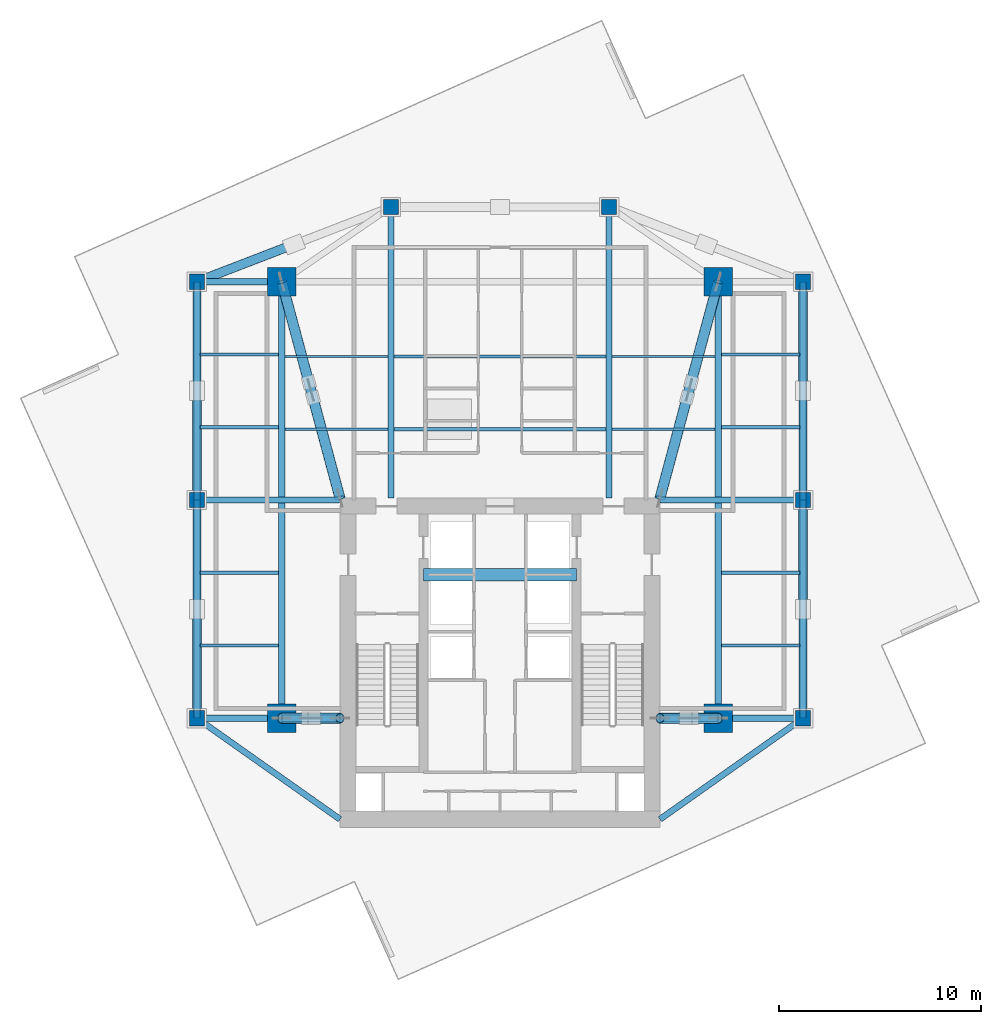
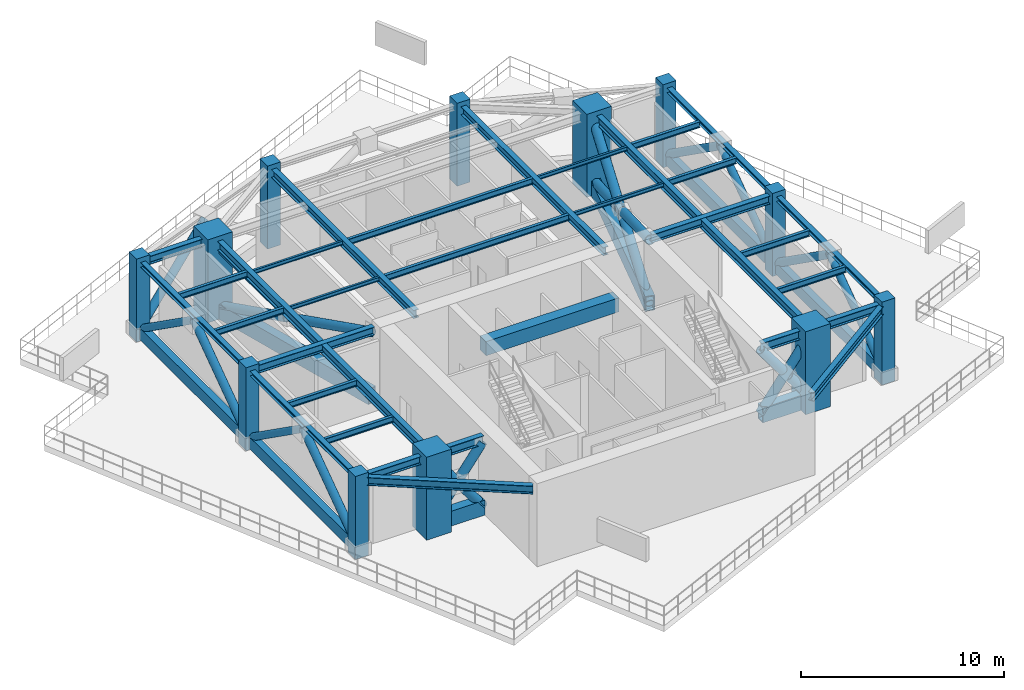
# One storey, part 1 of 8: 36 beams, 25 members, 12 columns.
"""IFC4 building model written with IfcOpenShell, lengths in metres."""

from ifc_helpers import new_model, si_unit, direction, frame, origin, origin_2d, place, context, subcontext, project, spatial, rectangle, hollow_rectangle, hollow_circle, i_section, extrude, source, transform, mapped, material, material_profile, profile_set, type_object, type_shapes, element, save


model = new_model("IFC4")

# Units and contexts
model_context = context("Model", 3, precision=1e-05, world=origin(), true_north=direction((0.0, 1.0)))
body_context = subcontext(model_context, "Body", "Model", "MODEL_VIEW")
ifc_project = project(units=[si_unit("LENGTHUNIT", "METRE"), si_unit("AREAUNIT", "SQUARE_METRE"), si_unit("VOLUMEUNIT", "CUBIC_METRE"), si_unit("PLANEANGLEUNIT", "RADIAN"), si_unit("MASSUNIT", "GRAM", prefix="KILO")], contexts=[model_context])

# Site, building, storey
site_placement = place(None, origin())
site = spatial("IfcSite", under=ifc_project, at=site_placement, CompositionType="ELEMENT")
building_placement = place(site_placement, origin())
building = spatial("IfcBuilding", under=site, at=building_placement, Name="Krantzveldt Concourse Tower", CompositionType="ELEMENT")
storey_placement = place(building_placement, frame((0.0, 0.0, 318.75)))
storey = spatial("IfcBuildingStorey", under=building, at=storey_placement, Name="L78", CompositionType="ELEMENT", Elevation=318.75)

# Columns
ifc_material_1 = material(Name="Concrete C50/60", Category="concrete")
ifc_material_profile_1 = material_profile(ifc_material_1, rectangle(XDim=1.39990234375, YDim=1.39990234375, at=origin_2d()), Name="Concrete C50/60", Category="concrete")
ifc_profile_set_1 = profile_set([ifc_material_profile_1], Name="Concrete C50/60 - RC 1400x1400")
column_type_1 = type_object("IfcColumnType", Name="COL-MC-1400", PredefinedType="USERDEFINED", material=ifc_profile_set_1)
shared_shape_1 = source(origin(), body_context, "Body", "SweptSolid", [
    extrude(rectangle(XDim=1.39990234375, YDim=1.39990234375, at=origin_2d()), origin(), (0.0, 0.0, 1.0), 5.0),
])
type_shapes(column_type_1, [shared_shape_1])
for number, where, z_axis, x_axis, name in (
    (1, (25.199951171875, 15.89990234375, 0.0), (0.0, 0.0, 1.0), (1.0, 0.0, 0.0), "MC-SW-L78"),
    (2, (46.800048828125, 15.89990234375, 0.0), (0.0, 0.0, 1.0), (1.0, 0.0, 0.0), "MC-SE-L78"),
    (3, (46.800048828125, 37.5, 0.0), (0.0, 0.0, 1.0), (1.0, 0.0, 0.0), "MC-NE-L78"),
    (4, (25.199951171875, 37.5, 0.0), (0.0, 0.0, 1.0), (1.0, 0.0, 0.0), "MC-NW-L78"),
):
    element("IfcColumn", number, at=place(storey_placement, frame(where, z_axis=z_axis, x_axis=x_axis)), inside=storey, type_object=column_type_1, Name=name, ObjectType="MEGA COLUMN", PredefinedType="USERDEFINED", context=body_context, shape_type="MappedRepresentation", body=[
        mapped(shared_shape_1, transform((0.0, 0.0, 0.0), x_axis=(1.0, 0.0, 0.0), y_axis=(0.0, 1.0, 0.0), z_axis=(0.0, 0.0, 1.0), scale=1.0)),
    ])
ifc_material_profile_2 = material_profile(ifc_material_1, rectangle(XDim=0.75, YDim=0.75, at=origin_2d()), Name="Concrete C50/60", Category="concrete")
ifc_profile_set_2 = profile_set([ifc_material_profile_2], Name="Concrete C50/60 - RC 750x750")
column_type_2 = type_object("IfcColumnType", Name="COL-C-Z5", PredefinedType="COLUMN", material=ifc_profile_set_2)
shared_shape_2 = source(origin(), body_context, "Body", "SweptSolid", [
    extrude(rectangle(XDim=0.75, YDim=0.75, at=origin_2d()), origin(), (0.0, 0.0, 1.0), 5.0),
])
type_shapes(column_type_2, [shared_shape_2])
for number, where, z_axis, x_axis, name in (
    (5, (21.0, 15.89990234375, 0.0), (0.0, 0.0, 1.0), (1.0, 0.0, 0.0), "PC-R01-L78"),
    (6, (21.0, 26.699951171875, 0.0), (0.0, 0.0, 1.0), (1.0, 0.0, 0.0), "PC-R02-L78"),
    (7, (21.0, 37.5, 0.0), (0.0, 0.0, 1.0), (1.0, 0.0, 0.0), "PC-R03-L78"),
    (8, (30.60009765625, 41.199951171875, 0.0), (0.0, 0.0, 1.0), (1.0, 0.0, 0.0), "PC-R04-L78"),
    (9, (41.39990234375, 41.199951171875, 0.0), (0.0, 0.0, 1.0), (1.0, 0.0, 0.0), "PC-R05-L78"),
    (10, (51.0, 37.5, 0.0), (0.0, 0.0, 1.0), (1.0, 0.0, 0.0), "PC-R06-L78"),
    (11, (51.0, 26.699951171875, 0.0), (0.0, 0.0, 1.0), (1.0, 0.0, 0.0), "PC-R07-L78"),
    (12, (51.0, 15.89990234375, 0.0), (0.0, 0.0, 1.0), (1.0, 0.0, 0.0), "PC-R08-L78"),
):
    element("IfcColumn", number, at=place(storey_placement, frame(where, z_axis=z_axis, x_axis=x_axis)), inside=storey, type_object=column_type_2, Name=name, PredefinedType="COLUMN", context=body_context, shape_type="MappedRepresentation", body=[
        mapped(shared_shape_2, transform((0.0, 0.0, 0.0), x_axis=(1.0, 0.0, 0.0), y_axis=(0.0, 1.0, 0.0), z_axis=(0.0, 0.0, 1.0), scale=1.0)),
    ])

# Beams
ifc_material_2 = material(Name="Steel S355J2", Category="steel")
ifc_material_profile_3 = material_profile(ifc_material_2, hollow_rectangle(XDim=0.5, YDim=0.89990234375, WallThickness=0.044921875, at=origin_2d()), Name="Steel S355J2", Category="steel")
ifc_profile_set_3 = profile_set([ifc_material_profile_3], Name="Steel S355J2 - RHS 900x500x45")
beam_type_1 = type_object("IfcBeamType", Name="BM-OT-CHD900", PredefinedType="BEAM", material=ifc_profile_set_3)
shared_shape_3 = source(origin(), body_context, "Body", "SweptSolid", [
    extrude(hollow_rectangle(XDim=0.5, YDim=0.89990234375, WallThickness=0.044921875, at=origin_2d()), origin(), (0.0, 0.0, 1.0), 2.880126953125),
])
for number, where, z_axis, x_axis, name in (
    (13, (28.080078125, 15.89990234375, 0.449951171875), (-1.0, 0.0, 0.0), (0.0, -1.0, 0.0), "OT-SW-L78-BC"),
    (14, (43.919921875, 15.89990234375, 0.449951171875), (1.0, 0.0, 0.0), (0.0, 1.0, 0.0), "OT-SE-L78-BC"),
):
    element("IfcBeam", number, at=place(storey_placement, frame(where, z_axis=z_axis, x_axis=x_axis)), inside=storey, type_object=beam_type_1, Name=name, PredefinedType="BEAM", context=body_context, shape_type="MappedRepresentation", body=[
        mapped(shared_shape_3, transform((0.0, 0.0, 0.0), x_axis=(1.0, 0.0, 0.0), y_axis=(0.0, 1.0, 0.0), z_axis=(0.0, 0.0, 1.0), scale=1.0)),
    ])
shared_shape_4 = source(origin(), body_context, "Body", "SweptSolid", [
    extrude(hollow_rectangle(XDim=0.5, YDim=0.89990234375, WallThickness=0.044921875, at=origin_2d()), origin(), (0.0, 0.0, 1.0), 11.080810546875),
])
type_shapes(beam_type_1, [shared_shape_3, shared_shape_4])
for number, where, z_axis, x_axis, name in (
    (15, (28.080078125, 26.800048828125, 0.449951171875), (-0.25992053364, 0.965630009989, 0.0), (-0.965630009989, -0.25992053364, 0.0), "OT-NW-L78-BC"),
    (16, (43.919921875, 26.800048828125, 0.449951171875), (0.25992053364, 0.965630009989, 0.0), (-0.965630009989, 0.25992053364, 0.0), "OT-NE-L78-BC"),
):
    element("IfcBeam", number, at=place(storey_placement, frame(where, z_axis=z_axis, x_axis=x_axis)), inside=storey, type_object=beam_type_1, Name=name, PredefinedType="BEAM", context=body_context, shape_type="MappedRepresentation", body=[
        mapped(shared_shape_4, transform((0.0, 0.0, 0.0), x_axis=(1.0, 0.0, 0.0), y_axis=(0.0, 1.0, 0.0), z_axis=(0.0, 0.0, 1.0), scale=1.0)),
    ])

# Members
ifc_material_profile_4 = material_profile(ifc_material_2, hollow_rectangle(XDim=0.39990234375, YDim=0.699951171875, WallThickness=0.034912109375, at=origin_2d()), Name="Steel S355J2", Category="steel")
ifc_profile_set_4 = profile_set([ifc_material_profile_4], Name="Steel S355J2 - RHS 700x400x35")
member_type_1 = type_object("IfcMemberType", Name="MB-BC-RHS700", PredefinedType="CHORD", material=ifc_profile_set_4)
shared_shape_5 = source(origin(), body_context, "Body", "SweptSolid", [
    extrude(hollow_rectangle(XDim=0.39990234375, YDim=0.699951171875, WallThickness=0.034912109375, at=origin_2d()), origin(), (0.0, 0.0, 1.0), 10.800048828125),
])
type_shapes(member_type_1, [shared_shape_5])
for number, where, z_axis, x_axis, name in (
    (17, (21.0, 15.89990234375, 0.449951171875), (0.0, 1.0, 0.0), (-1.0, 0.0, 0.0), "BT-L78-BC-01"),
    (18, (21.0, 26.699951171875, 0.449951171875), (0.0, 1.0, 0.0), (-1.0, 0.0, 0.0), "BT-L78-BC-02"),
    (19, (51.0, 37.5, 0.449951171875), (0.0, -1.0, 0.0), (1.0, 0.0, 0.0), "BT-L78-BC-06"),
    (20, (51.0, 26.699951171875, 0.449951171875), (0.0, -1.0, 0.0), (1.0, 0.0, 0.0), "BT-L78-BC-07"),
):
    element("IfcMember", number, at=place(storey_placement, frame(where, z_axis=z_axis, x_axis=x_axis)), inside=storey, type_object=member_type_1, Name=name, PredefinedType="CHORD", context=body_context, shape_type="MappedRepresentation", body=[
        mapped(shared_shape_5, transform((0.0, 0.0, 0.0), x_axis=(1.0, 0.0, 0.0), y_axis=(0.0, 1.0, 0.0), z_axis=(0.0, 0.0, 1.0), scale=1.0)),
    ])

# Beams
ifc_material_3 = material(Name="Steel S355JR", Category="steel")
ifc_material_profile_5 = material_profile(ifc_material_3, i_section(OverallWidth=0.169921875, OverallDepth=0.360107421875, WebThickness=0.008056640625, FlangeThickness=0.0126953125, FilletRadius=0.01806640625, at=origin_2d()), Name="Steel S355JR", Category="steel")
ifc_profile_set_5 = profile_set([ifc_material_profile_5], Name="Steel S355JR - IPE 360")
beam_type_2 = type_object("IfcBeamType", Name="BM-J-IPE360", PredefinedType="JOIST", material=ifc_profile_set_5)
shared_shape_6 = source(origin(), body_context, "Body", "SweptSolid", [
    extrude(i_section(OverallWidth=0.169921875, OverallDepth=0.360107421875, WebThickness=0.008056640625, FlangeThickness=0.0126953125, FilletRadius=0.01806640625, at=origin_2d()), origin(), (0.0, 0.0, 1.0), 10.5),
])
for number, where, z_axis, x_axis, name in (
    (21, (30.75, 30.199951171875, 4.5400390625), (1.0, 0.0, 0.0), (0.0, 1.0, 0.0), "L78 Secondary Floor Joist JN-C1"),
    (22, (30.75, 33.800048828125, 4.5400390625), (1.0, 0.0, 0.0), (0.0, 1.0, 0.0), "L78 Secondary Floor Joist JN-C2"),
):
    element("IfcBeam", number, at=place(storey_placement, frame(where, z_axis=z_axis, x_axis=x_axis)), inside=storey, type_object=beam_type_2, Name=name, PredefinedType="JOIST", context=body_context, shape_type="MappedRepresentation", body=[
        mapped(shared_shape_6, transform((0.0, 0.0, 0.0), x_axis=(1.0, 0.0, 0.0), y_axis=(0.0, 1.0, 0.0), z_axis=(0.0, 0.0, 1.0), scale=1.0)),
    ])
ifc_material_profile_6 = material_profile(ifc_material_3, i_section(OverallWidth=0.300048828125, OverallDepth=0.489990234375, WebThickness=0.011962890625, FlangeThickness=0.02294921875, FilletRadius=0.027099609375, at=origin_2d()), Name="Steel S355JR", Category="steel")
ifc_profile_set_6 = profile_set([ifc_material_profile_6], Name="Steel S355JR - HEA 500")
beam_type_3 = type_object("IfcBeamType", Name="BM-B-HEA500", PredefinedType="BEAM", material=ifc_profile_set_6)
shared_shape_7 = source(origin(), body_context, "Body", "SweptSolid", [
    extrude(i_section(OverallWidth=0.300048828125, OverallDepth=0.489990234375, WebThickness=0.011962890625, FlangeThickness=0.02294921875, FilletRadius=0.027099609375, at=origin_2d()), origin(), (0.0, 0.0, 1.0), 7.080078125),
])
for number, where, z_axis, x_axis, name in (
    (23, (21.0, 26.699951171875, 4.47509765625), (1.0, 0.0, 0.0), (0.0, 1.0, 0.0), "L78 Tower Girder BG-CW2"),
    (24, (43.919921875, 26.699951171875, 4.47509765625), (1.0, 0.0, 0.0), (0.0, 1.0, 0.0), "L78 Tower Girder BG-CE2"),
):
    element("IfcBeam", number, at=place(storey_placement, frame(where, z_axis=z_axis, x_axis=x_axis)), inside=storey, type_object=beam_type_3, Name=name, PredefinedType="BEAM", context=body_context, shape_type="MappedRepresentation", body=[
        mapped(shared_shape_7, transform((0.0, 0.0, 0.0), x_axis=(1.0, 0.0, 0.0), y_axis=(0.0, 1.0, 0.0), z_axis=(0.0, 0.0, 1.0), scale=1.0)),
    ])
shared_shape_8 = source(origin(), body_context, "Body", "SweptSolid", [
    extrude(i_section(OverallWidth=0.300048828125, OverallDepth=0.489990234375, WebThickness=0.011962890625, FlangeThickness=0.02294921875, FilletRadius=0.027099609375, at=origin_2d()), origin(), (0.0, 0.0, 1.0), 14.39990234375),
])
for number, where, z_axis, x_axis, name in (
    (25, (30.60009765625, 26.800048828125, 4.47509765625), (0.0, 1.0, 0.0), (-1.0, 0.0, 0.0), "L78 Tower Girder BG-CNW"),
    (26, (41.39990234375, 26.800048828125, 4.47509765625), (0.0, 1.0, 0.0), (-1.0, 0.0, 0.0), "L78 Tower Girder BG-CNE"),
):
    element("IfcBeam", number, at=place(storey_placement, frame(where, z_axis=z_axis, x_axis=x_axis)), inside=storey, type_object=beam_type_3, Name=name, PredefinedType="BEAM", context=body_context, shape_type="MappedRepresentation", body=[
        mapped(shared_shape_8, transform((0.0, 0.0, 0.0), x_axis=(1.0, 0.0, 0.0), y_axis=(0.0, 1.0, 0.0), z_axis=(0.0, 0.0, 1.0), scale=1.0)),
    ])
shared_shape_9 = source(origin(), body_context, "Body", "SweptSolid", [
    extrude(i_section(OverallWidth=0.300048828125, OverallDepth=0.489990234375, WebThickness=0.011962890625, FlangeThickness=0.02294921875, FilletRadius=0.027099609375, at=origin_2d()), origin(), (0.0, 0.0, 1.0), 4.199951171875),
])
for number, where, z_axis, x_axis, name in (
    (27, (21.0, 15.89990234375, 4.47509765625), (1.0, 0.0, 0.0), (0.0, 1.0, 0.0), "L78 Tower Girder BR-RL1"),
    (28, (21.0, 37.5, 4.47509765625), (1.0, 0.0, 0.0), (0.0, 1.0, 0.0), "L78 Tower Girder BR-RL3"),
    (29, (46.800048828125, 15.89990234375, 4.47509765625), (1.0, 0.0, 0.0), (0.0, 1.0, 0.0), "L78 Tower Girder BR-RR1"),
):
    element("IfcBeam", number, at=place(storey_placement, frame(where, z_axis=z_axis, x_axis=x_axis)), inside=storey, type_object=beam_type_3, Name=name, PredefinedType="BEAM", context=body_context, shape_type="MappedRepresentation", body=[
        mapped(shared_shape_9, transform((0.0, 0.0, 0.0), x_axis=(1.0, 0.0, 0.0), y_axis=(0.0, 1.0, 0.0), z_axis=(0.0, 0.0, 1.0), scale=1.0)),
    ])
shared_shape_10 = source(origin(), body_context, "Body", "SweptSolid", [
    extrude(i_section(OverallWidth=0.300048828125, OverallDepth=0.489990234375, WebThickness=0.011962890625, FlangeThickness=0.02294921875, FilletRadius=0.027099609375, at=origin_2d()), origin(), (0.0, 0.0, 1.0), 8.667724609375),
])
type_shapes(beam_type_3, [shared_shape_7, shared_shape_8, shared_shape_9, shared_shape_10])
for number, where, z_axis, x_axis, name in (
    (30, (21.0, 15.89990234375, 4.47509765625), (0.81684294656, -0.576860122261, 0.0), (0.576860122261, 0.81684294656, 0.0), "L78 Tower Girder BR-CSW"),
    (31, (51.0, 15.89990234375, 4.47509765625), (-0.81684294656, -0.576860122261, 0.0), (0.576860122261, -0.81684294656, 0.0), "L78 Tower Girder BR-CSE"),
):
    element("IfcBeam", number, at=place(storey_placement, frame(where, z_axis=z_axis, x_axis=x_axis)), inside=storey, type_object=beam_type_3, Name=name, PredefinedType="BEAM", context=body_context, shape_type="MappedRepresentation", body=[
        mapped(shared_shape_10, transform((0.0, 0.0, 0.0), x_axis=(1.0, 0.0, 0.0), y_axis=(0.0, 1.0, 0.0), z_axis=(0.0, 0.0, 1.0), scale=1.0)),
    ])
ifc_material_profile_7 = material_profile(ifc_material_1, rectangle(XDim=0.60009765625, YDim=0.85009765625, at=origin_2d()), Name="Concrete C50/60", Category="concrete")
ifc_profile_set_7 = profile_set([ifc_material_profile_7], Name="Concrete C50/60 - RC-CB 600x850")
beam_type_4 = type_object("IfcBeamType", Name="BM-CB-850", PredefinedType="LINTEL", material=ifc_profile_set_7)
shared_shape_11 = source(origin(), body_context, "Body", "SweptSolid", [
    extrude(rectangle(XDim=0.60009765625, YDim=0.85009765625, at=origin_2d()), origin(), (0.0, 0.0, 1.0), 7.580078125),
])
type_shapes(beam_type_4, [shared_shape_11])
beam_placement = place(storey_placement, frame((32.2099609375, 23.0, 4.294921875), z_axis=(1.0, 0.0, 0.0), x_axis=(0.0, 1.0, 0.0)))
element("IfcBeam", 32, at=beam_placement, inside=storey, type_object=beam_type_4, Name="CB-L78-01", PredefinedType="LINTEL", context=body_context, shape_type="MappedRepresentation", body=[
    mapped(shared_shape_11, transform((0.0, 0.0, 0.0), x_axis=(1.0, 0.0, 0.0), y_axis=(0.0, 1.0, 0.0), z_axis=(0.0, 0.0, 1.0), scale=1.0)),
])
ifc_material_profile_8 = material_profile(ifc_material_3, i_section(OverallWidth=0.300048828125, OverallDepth=0.5400390625, WebThickness=0.012451171875, FlangeThickness=0.02392578125, FilletRadius=0.027099609375, at=origin_2d()), Name="Steel S355JR", Category="steel")
ifc_profile_set_8 = profile_set([ifc_material_profile_8], Name="Steel S355JR - HEA 550")
beam_type_5 = type_object("IfcBeamType", Name="BM-B-HEA550", PredefinedType="BEAM", material=ifc_profile_set_8)
shared_shape_12 = source(origin(), body_context, "Body", "SweptSolid", [
    extrude(i_section(OverallWidth=0.300048828125, OverallDepth=0.5400390625, WebThickness=0.012451171875, FlangeThickness=0.02392578125, FilletRadius=0.027099609375, at=origin_2d()), origin(), (0.0, 0.0, 1.0), 21.60009765625),
])
for number, where, z_axis, x_axis, name in (
    (33, (25.199951171875, 15.89990234375, 4.449951171875), (0.0, 1.0, 0.0), (-1.0, 0.0, 0.0), "L78 Tower Girder BG-MW"),
    (34, (46.800048828125, 15.89990234375, 4.449951171875), (0.0, 1.0, 0.0), (-1.0, 0.0, 0.0), "L78 Tower Girder BG-ME"),
):
    element("IfcBeam", number, at=place(storey_placement, frame(where, z_axis=z_axis, x_axis=x_axis)), inside=storey, type_object=beam_type_5, Name=name, PredefinedType="BEAM", context=body_context, shape_type="MappedRepresentation", body=[
        mapped(shared_shape_12, transform((0.0, 0.0, 0.0), x_axis=(1.0, 0.0, 0.0), y_axis=(0.0, 1.0, 0.0), z_axis=(0.0, 0.0, 1.0), scale=1.0)),
    ])
shared_shape_13 = source(origin(), body_context, "Body", "SweptSolid", [
    extrude(i_section(OverallWidth=0.300048828125, OverallDepth=0.5400390625, WebThickness=0.012451171875, FlangeThickness=0.02392578125, FilletRadius=0.027099609375, at=origin_2d()), origin(), (0.0, 0.0, 1.0), 2.880126953125),
])
type_shapes(beam_type_5, [shared_shape_12, shared_shape_13])
for number, where, z_axis, x_axis, name in (
    (35, (25.199951171875, 15.89990234375, 4.449951171875), (1.0, 0.0, 0.0), (0.0, 1.0, 0.0), "L78 Tower Girder BG-CW1"),
    (36, (43.919921875, 15.89990234375, 4.449951171875), (1.0, 0.0, 0.0), (0.0, 1.0, 0.0), "L78 Tower Girder BG-CE1"),
):
    element("IfcBeam", number, at=place(storey_placement, frame(where, z_axis=z_axis, x_axis=x_axis)), inside=storey, type_object=beam_type_5, Name=name, PredefinedType="BEAM", context=body_context, shape_type="MappedRepresentation", body=[
        mapped(shared_shape_13, transform((0.0, 0.0, 0.0), x_axis=(1.0, 0.0, 0.0), y_axis=(0.0, 1.0, 0.0), z_axis=(0.0, 0.0, 1.0), scale=1.0)),
    ])
ifc_material_profile_9 = material_profile(ifc_material_3, i_section(OverallWidth=0.2900390625, OverallDepth=0.2900390625, WebThickness=0.008544921875, FlangeThickness=0.013916015625, FilletRadius=0.027099609375, at=origin_2d()), Name="Steel S355JR", Category="steel")
ifc_profile_set_9 = profile_set([ifc_material_profile_9], Name="Steel S355JR - HEA 300")
beam_type_6 = type_object("IfcBeamType", Name="BM-SP-HEA300", PredefinedType="SPANDREL", material=ifc_profile_set_9)
shared_shape_14 = source(origin(), body_context, "Body", "SweptSolid", [
    extrude(i_section(OverallWidth=0.2900390625, OverallDepth=0.2900390625, WebThickness=0.008544921875, FlangeThickness=0.013916015625, FilletRadius=0.027099609375, at=origin_2d()), origin(), (0.0, 0.0, 1.0), 10.800048828125),
])
type_shapes(beam_type_6, [shared_shape_14])
for number, where, z_axis, x_axis, name in (
    (37, (21.0, 15.89990234375, 4.574951171875), (0.0, 1.0, 0.0), (-1.0, 0.0, 0.0), "L78 Tower Girder SP-R01"),
    (38, (21.0, 26.699951171875, 4.574951171875), (0.0, 1.0, 0.0), (-1.0, 0.0, 0.0), "L78 Tower Girder SP-R02"),
    (39, (51.0, 37.5, 4.574951171875), (0.0, -1.0, 0.0), (1.0, 0.0, 0.0), "L78 Tower Girder SP-R06"),
    (40, (51.0, 26.699951171875, 4.574951171875), (0.0, -1.0, 0.0), (1.0, 0.0, 0.0), "L78 Tower Girder SP-R07"),
):
    element("IfcBeam", number, at=place(storey_placement, frame(where, z_axis=z_axis, x_axis=x_axis)), inside=storey, type_object=beam_type_6, Name=name, PredefinedType="SPANDREL", context=body_context, shape_type="MappedRepresentation", body=[
        mapped(shared_shape_14, transform((0.0, 0.0, 0.0), x_axis=(1.0, 0.0, 0.0), y_axis=(0.0, 1.0, 0.0), z_axis=(0.0, 0.0, 1.0), scale=1.0)),
    ])
ifc_material_profile_10 = material_profile(ifc_material_3, i_section(OverallWidth=0.1201171875, OverallDepth=0.239990234375, WebThickness=0.006103515625, FlangeThickness=0.009765625, FilletRadius=0.014892578125, at=origin_2d()), Name="Steel S355JR", Category="steel")
ifc_profile_set_10 = profile_set([ifc_material_profile_10], Name="Steel S355JR - IPE 240")
beam_type_7 = type_object("IfcBeamType", Name="BM-LN-IPE240", PredefinedType="LINTEL", material=ifc_profile_set_10)
shared_shape_15 = source(origin(), body_context, "Body", "SweptSolid", [
    extrude(i_section(OverallWidth=0.1201171875, OverallDepth=0.239990234375, WebThickness=0.006103515625, FlangeThickness=0.009765625, FilletRadius=0.014892578125, at=origin_2d()), origin(), (0.0, 0.0, 1.0), 5.099853515625),
])
type_shapes(beam_type_7, [shared_shape_15])
for number, where, z_axis, x_axis, name in (
    (41, (25.35009765625, 30.199951171875, 4.60009765625), (1.0, 0.0, 0.0), (0.0, 1.0, 0.0), "L78 Secondary Floor Joist JN-W1"),
    (42, (25.35009765625, 33.800048828125, 4.60009765625), (1.0, 0.0, 0.0), (0.0, 1.0, 0.0), "L78 Secondary Floor Joist JN-W2"),
    (43, (41.550048828125, 30.199951171875, 4.60009765625), (1.0, 0.0, 0.0), (0.0, 1.0, 0.0), "L78 Secondary Floor Joist JN-E1"),
    (44, (41.550048828125, 33.800048828125, 4.60009765625), (1.0, 0.0, 0.0), (0.0, 1.0, 0.0), "L78 Secondary Floor Joist JN-E2"),
):
    element("IfcBeam", number, at=place(storey_placement, frame(where, z_axis=z_axis, x_axis=x_axis)), inside=storey, type_object=beam_type_7, Name=name, PredefinedType="LINTEL", context=body_context, shape_type="MappedRepresentation", body=[
        mapped(shared_shape_15, transform((0.0, 0.0, 0.0), x_axis=(1.0, 0.0, 0.0), y_axis=(0.0, 1.0, 0.0), z_axis=(0.0, 0.0, 1.0), scale=1.0)),
    ])
shared_shape_16 = source(origin(), body_context, "Body", "SweptSolid", [
    extrude(i_section(OverallWidth=0.169921875, OverallDepth=0.360107421875, WebThickness=0.008056640625, FlangeThickness=0.0126953125, FilletRadius=0.01806640625, at=origin_2d()), origin(), (0.0, 0.0, 1.0), 3.900146484375),
])
type_shapes(beam_type_2, [shared_shape_6, shared_shape_16])
for number, where, z_axis, x_axis, name in (
    (45, (21.14990234375, 19.5, 4.5400390625), (1.0, 0.0, 0.0), (0.0, 1.0, 0.0), "L78 Secondary Floor Joist JW-1"),
    (46, (21.14990234375, 23.10009765625, 4.5400390625), (1.0, 0.0, 0.0), (0.0, 1.0, 0.0), "L78 Secondary Floor Joist JW-2"),
    (47, (21.14990234375, 30.300048828125, 4.5400390625), (1.0, 0.0, 0.0), (0.0, 1.0, 0.0), "L78 Secondary Floor Joist JW-3"),
    (48, (21.14990234375, 33.89990234375, 4.5400390625), (1.0, 0.0, 0.0), (0.0, 1.0, 0.0), "L78 Secondary Floor Joist JW-4"),
    (49, (46.949951171875, 19.5, 4.5400390625), (1.0, 0.0, 0.0), (0.0, 1.0, 0.0), "L78 Secondary Floor Joist JE-1"),
    (50, (46.949951171875, 23.10009765625, 4.5400390625), (1.0, 0.0, 0.0), (0.0, 1.0, 0.0), "L78 Secondary Floor Joist JE-2"),
    (51, (46.949951171875, 30.300048828125, 4.5400390625), (1.0, 0.0, 0.0), (0.0, 1.0, 0.0), "L78 Secondary Floor Joist JE-3"),
    (52, (46.949951171875, 33.89990234375, 4.5400390625), (1.0, 0.0, 0.0), (0.0, 1.0, 0.0), "L78 Secondary Floor Joist JE-4"),
):
    element("IfcBeam", number, at=place(storey_placement, frame(where, z_axis=z_axis, x_axis=x_axis)), inside=storey, type_object=beam_type_2, Name=name, PredefinedType="JOIST", context=body_context, shape_type="MappedRepresentation", body=[
        mapped(shared_shape_16, transform((0.0, 0.0, 0.0), x_axis=(1.0, 0.0, 0.0), y_axis=(0.0, 1.0, 0.0), z_axis=(0.0, 0.0, 1.0), scale=1.0)),
    ])

# Members
ifc_material_profile_11 = material_profile(ifc_material_2, hollow_circle(Radius=0.25390625, WallThickness=0.035888671875, at=origin_2d()), Name="Steel S355J2", Category="steel")
ifc_profile_set_11 = profile_set([ifc_material_profile_11], Name="Steel S355J2 - CHS 508x36")
member_type_2 = type_object("IfcMemberType", Name="MB-OB-CHS508", PredefinedType="BRACE", material=ifc_profile_set_11)
shared_shape_17 = source(origin(), body_context, "Body", "SweptSolid", [
    extrude(hollow_circle(Radius=0.25390625, WallThickness=0.035888671875, at=origin_2d()), origin(), (0.0, 0.0, 1.0), 4.7841796875),
])
for number, where, z_axis, x_axis, name in (
    (53, (28.080078125, 15.89990234375, 0.449951171875), (-0.60201484574, 0.0, 0.798484893726), (0.0, -1.0, 0.0), "Brace Diagonal OT-SW-L78-D1"),
    (54, (43.919921875, 15.89990234375, 0.449951171875), (0.60201484574, 0.0, 0.798484893726), (0.0, 1.0, 0.0), "Brace Diagonal OT-SE-L78-D1"),
):
    element("IfcMember", number, at=place(storey_placement, frame(where, z_axis=z_axis, x_axis=x_axis)), inside=storey, type_object=member_type_2, Name=name, PredefinedType="BRACE", context=body_context, shape_type="MappedRepresentation", body=[
        mapped(shared_shape_17, transform((0.0, 0.0, 0.0), x_axis=(1.0, 0.0, 0.0), y_axis=(0.0, 1.0, 0.0), z_axis=(0.0, 0.0, 1.0), scale=1.0)),
    ])
shared_shape_18 = source(origin(), body_context, "Body", "SweptSolid", [
    extrude(hollow_circle(Radius=0.25390625, WallThickness=0.035888671875, at=origin_2d()), origin(), (0.0, 0.0, 1.0), 2.127685546875),
])
for number, where, z_axis, x_axis, name in (
    (55, (28.080078125, 15.89990234375, 4.27001953125), (-0.602035819126, 0.0, -0.798469080484), (0.0, -1.0, 0.0), "Brace Diagonal OT-SW-L78-D2A"),
    (56, (26.48095703125, 15.89990234375, 2.14892578125), (-0.602035819126, 0.0, -0.798469080484), (0.0, -1.0, 0.0), "Brace Diagonal OT-SW-L78-D2B"),
    (57, (43.919921875, 15.89990234375, 4.27001953125), (0.602035819126, 0.0, -0.798469080484), (0.0, 1.0, 0.0), "Brace Diagonal OT-SE-L78-D2A"),
    (58, (45.51904296875, 15.89990234375, 2.14892578125), (0.602035819126, 0.0, -0.798469080484), (0.0, 1.0, 0.0), "Brace Diagonal OT-SE-L78-D2B"),
):
    element("IfcMember", number, at=place(storey_placement, frame(where, z_axis=z_axis, x_axis=x_axis)), inside=storey, type_object=member_type_2, Name=name, PredefinedType="BRACE", context=body_context, shape_type="MappedRepresentation", body=[
        mapped(shared_shape_18, transform((0.0, 0.0, 0.0), x_axis=(1.0, 0.0, 0.0), y_axis=(0.0, 1.0, 0.0), z_axis=(0.0, 0.0, 1.0), scale=1.0)),
    ])
shared_shape_19 = source(origin(), body_context, "Body", "SweptSolid", [
    extrude(hollow_circle(Radius=0.25390625, WallThickness=0.035888671875, at=origin_2d()), origin(), (0.0, 0.0, 1.0), 11.720703125),
])
for number, where, z_axis, x_axis, name in (
    (59, (28.080078125, 26.800048828125, 0.449951171875), (-0.24572797615, 0.912903281403, 0.325922322863), (-0.965630009989, -0.25992053364, 0.0), "Brace Diagonal OT-NW-L78-D1"),
    (60, (43.919921875, 26.800048828125, 0.449951171875), (0.24572797615, 0.912903281403, 0.325922322863), (-0.965630009989, 0.25992053364, 0.0), "Brace Diagonal OT-NE-L78-D1"),
):
    element("IfcMember", number, at=place(storey_placement, frame(where, z_axis=z_axis, x_axis=x_axis)), inside=storey, type_object=member_type_2, Name=name, PredefinedType="BRACE", context=body_context, shape_type="MappedRepresentation", body=[
        mapped(shared_shape_19, transform((0.0, 0.0, 0.0), x_axis=(1.0, 0.0, 0.0), y_axis=(0.0, 1.0, 0.0), z_axis=(0.0, 0.0, 1.0), scale=1.0)),
    ])
shared_shape_20 = source(origin(), body_context, "Body", "SweptSolid", [
    extrude(hollow_circle(Radius=0.25390625, WallThickness=0.035888671875, at=origin_2d()), origin(), (0.0, 0.0, 1.0), 5.4482421875),
])
type_shapes(member_type_2, [shared_shape_17, shared_shape_18, shared_shape_19, shared_shape_20])
for number, where, z_axis, x_axis, name in (
    (61, (28.080078125, 26.800048828125, 4.27001953125), (-0.245746588463, 0.912901075887, -0.325914467157), (-0.965624910951, -0.259939476323, 0.0), "Brace Diagonal OT-NW-L78-D2A"),
    (62, (26.538818359375, 32.5263671875, 2.2255859375), (-0.245746588463, 0.912901075887, -0.325914467157), (-0.965624910951, -0.259939476323, 0.0), "Brace Diagonal OT-NW-L78-D2B"),
    (63, (43.919921875, 26.800048828125, 4.27001953125), (0.245746588463, 0.912901075887, -0.325914467157), (-0.965624910951, 0.259939476323, 0.0), "Brace Diagonal OT-NE-L78-D2A"),
    (64, (45.461181640625, 32.5263671875, 2.2255859375), (0.245746588463, 0.912901075887, -0.325914467157), (-0.965624910951, 0.259939476323, 0.0), "Brace Diagonal OT-NE-L78-D2B"),
):
    element("IfcMember", number, at=place(storey_placement, frame(where, z_axis=z_axis, x_axis=x_axis)), inside=storey, type_object=member_type_2, Name=name, PredefinedType="BRACE", context=body_context, shape_type="MappedRepresentation", body=[
        mapped(shared_shape_20, transform((0.0, 0.0, 0.0), x_axis=(1.0, 0.0, 0.0), y_axis=(0.0, 1.0, 0.0), z_axis=(0.0, 0.0, 1.0), scale=1.0)),
    ])
ifc_material_profile_12 = material_profile(ifc_material_2, hollow_circle(Radius=0.228515625, WallThickness=0.030029296875, at=origin_2d()), Name="Steel S355J2", Category="steel")
ifc_profile_set_12 = profile_set([ifc_material_profile_12], Name="Steel S355J2 - CHS 457x30")
member_type_3 = type_object("IfcMemberType", Name="MB-BB-CHS457", PredefinedType="BRACE", material=ifc_profile_set_12)
shared_shape_21 = source(origin(), body_context, "Body", "SweptSolid", [
    extrude(hollow_circle(Radius=0.228515625, WallThickness=0.030029296875, at=origin_2d()), origin(), (0.0, 0.0, 1.0), 6.61474609375),
])
for number, where, z_axis, x_axis, name in (
    (65, (21.0, 15.89990234375, 0.449951171875), (0.0, 0.816383383372, 0.577510321426), (-1.0, 0.0, 0.0), "Brace Diagonal BT-L78-D1-01"),
    (66, (21.0, 26.699951171875, 0.449951171875), (0.0, 0.816383383372, 0.577510321426), (-1.0, 0.0, 0.0), "Brace Diagonal BT-L78-D1-02"),
):
    element("IfcMember", number, at=place(storey_placement, frame(where, z_axis=z_axis, x_axis=x_axis)), inside=storey, type_object=member_type_3, Name=name, PredefinedType="BRACE", context=body_context, shape_type="MappedRepresentation", body=[
        mapped(shared_shape_21, transform((0.0, 0.0, 0.0), x_axis=(1.0, 0.0, 0.0), y_axis=(0.0, 1.0, 0.0), z_axis=(0.0, 0.0, 1.0), scale=1.0)),
    ])
ifc_material_profile_13 = material_profile(ifc_material_2, hollow_circle(Radius=0.203125, WallThickness=0.02490234375, at=origin_2d()), Name="Steel S355J2", Category="steel")
ifc_profile_set_13 = profile_set([ifc_material_profile_13], Name="Steel S355J2 - CHS 406.4x25")
member_type_4 = type_object("IfcMemberType", Name="MB-BB-CHS406", PredefinedType="BRACE", material=ifc_profile_set_13)
shared_shape_22 = source(origin(), body_context, "Body", "SweptSolid", [
    extrude(hollow_circle(Radius=0.203125, WallThickness=0.02490234375, at=origin_2d()), origin(), (0.0, 0.0, 1.0), 6.614501953125),
])
for number, where, z_axis, x_axis, name in (
    (67, (21.0, 26.699951171875, 0.449951171875), (0.0, -0.816371073096, 0.577527723155), (1.0, 0.0, 0.0), "Brace Diagonal BT-L78-D2-01"),
    (68, (21.0, 37.5, 0.449951171875), (0.0, -0.816371073096, 0.577527723155), (1.0, 0.0, 0.0), "Brace Diagonal BT-L78-D2-02"),
):
    element("IfcMember", number, at=place(storey_placement, frame(where, z_axis=z_axis, x_axis=x_axis)), inside=storey, type_object=member_type_4, Name=name, PredefinedType="BRACE", context=body_context, shape_type="MappedRepresentation", body=[
        mapped(shared_shape_22, transform((0.0, 0.0, 0.0), x_axis=(1.0, 0.0, 0.0), y_axis=(0.0, 1.0, 0.0), z_axis=(0.0, 0.0, 1.0), scale=1.0)),
    ])
shared_shape_23 = source(origin(), body_context, "Body", "SweptSolid", [
    extrude(hollow_circle(Radius=0.228515625, WallThickness=0.030029296875, at=origin_2d()), origin(), (0.0, 0.0, 1.0), 6.407470703125),
])
member_placement = place(storey_placement, frame((21.0, 37.5, 0.449951171875), z_axis=(0.749127953819, 0.288738702713, 0.5961856006), x_axis=(-0.359643657726, 0.933089727442, 0.0)))
element("IfcMember", 69, at=member_placement, inside=storey, type_object=member_type_3, Name="Brace Diagonal BT-L78-D1-03", PredefinedType="BRACE", context=body_context, shape_type="MappedRepresentation", body=[
    mapped(shared_shape_23, transform((0.0, 0.0, 0.0), x_axis=(1.0, 0.0, 0.0), y_axis=(0.0, 1.0, 0.0), z_axis=(0.0, 0.0, 1.0), scale=1.0)),
])
shared_shape_24 = source(origin(), body_context, "Body", "SweptSolid", [
    extrude(hollow_circle(Radius=0.228515625, WallThickness=0.030029296875, at=origin_2d()), origin(), (0.0, 0.0, 1.0), 6.614501953125),
])
type_shapes(member_type_3, [shared_shape_21, shared_shape_23, shared_shape_24])
for number, where, z_axis, x_axis, name in (
    (70, (51.0, 37.5, 0.449951171875), (0.0, -0.816371073096, 0.577527723155), (1.0, 0.0, 0.0), "Brace Diagonal BT-L78-D1-06"),
    (71, (51.0, 26.699951171875, 0.449951171875), (0.0, -0.816371073096, 0.577527723155), (1.0, 0.0, 0.0), "Brace Diagonal BT-L78-D1-07"),
):
    element("IfcMember", number, at=place(storey_placement, frame(where, z_axis=z_axis, x_axis=x_axis)), inside=storey, type_object=member_type_3, Name=name, PredefinedType="BRACE", context=body_context, shape_type="MappedRepresentation", body=[
        mapped(shared_shape_24, transform((0.0, 0.0, 0.0), x_axis=(1.0, 0.0, 0.0), y_axis=(0.0, 1.0, 0.0), z_axis=(0.0, 0.0, 1.0), scale=1.0)),
    ])
shared_shape_25 = source(origin(), body_context, "Body", "SweptSolid", [
    extrude(hollow_circle(Radius=0.203125, WallThickness=0.02490234375, at=origin_2d()), origin(), (0.0, 0.0, 1.0), 6.61474609375),
])
type_shapes(member_type_4, [shared_shape_22, shared_shape_25])
for number, where, z_axis, x_axis, name in (
    (72, (51.0, 26.699951171875, 0.449951171875), (0.0, 0.816383383372, 0.577510321426), (-1.0, 0.0, 0.0), "Brace Diagonal BT-L78-D2-06"),
    (73, (51.0, 15.89990234375, 0.449951171875), (0.0, 0.816383383372, 0.577510321426), (-1.0, 0.0, 0.0), "Brace Diagonal BT-L78-D2-07"),
):
    element("IfcMember", number, at=place(storey_placement, frame(where, z_axis=z_axis, x_axis=x_axis)), inside=storey, type_object=member_type_4, Name=name, PredefinedType="BRACE", context=body_context, shape_type="MappedRepresentation", body=[
        mapped(shared_shape_25, transform((0.0, 0.0, 0.0), x_axis=(1.0, 0.0, 0.0), y_axis=(0.0, 1.0, 0.0), z_axis=(0.0, 0.0, 1.0), scale=1.0)),
    ])

save(model, "model.ifc")
